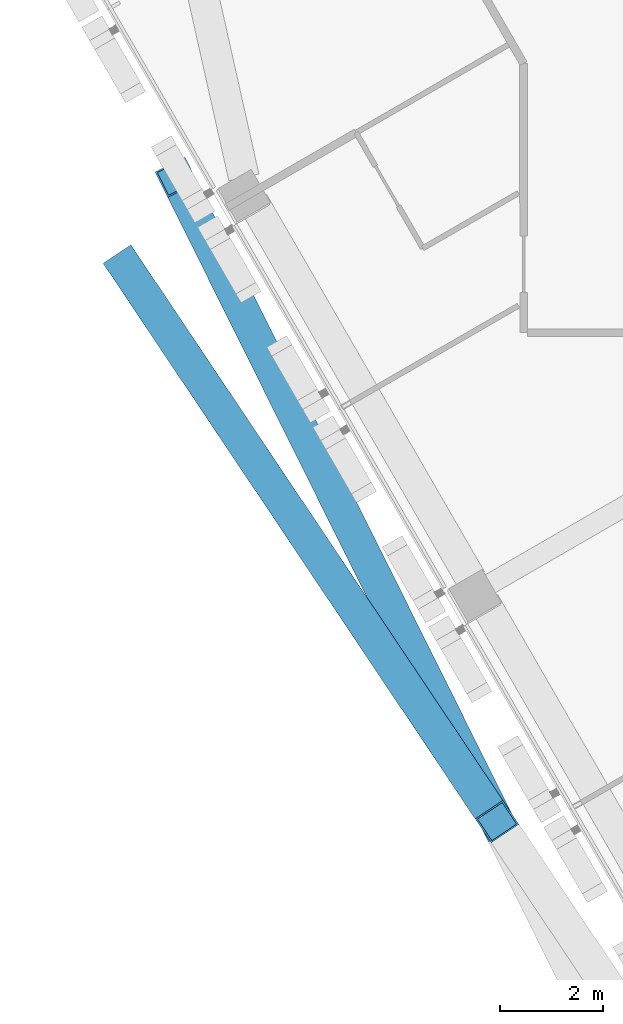
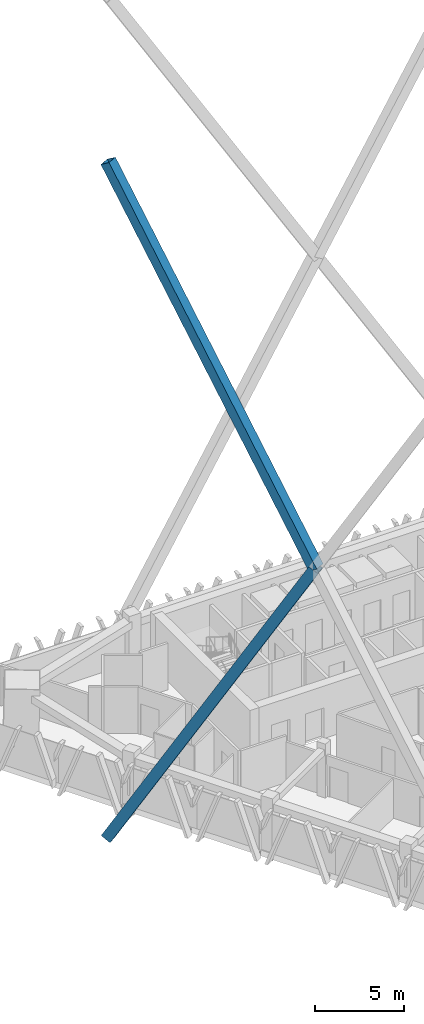
# One storey, part 5 of 22: 2 members.
"""IFC4 building model written with IfcOpenShell, lengths in metres."""

from ifc_helpers import new_model, si_unit, direction, frame, origin, origin_2d, place, context, subcontext, project, spatial, hollow_rectangle, extrude, material, material_profile, profile_set, type_object, element, save


model = new_model("IFC4")

# Units and contexts
model_context = context("Model", 3, precision=1e-05, world=origin(), true_north=direction((0.0, 1.0)))
body_context = subcontext(model_context, "Body", "Model", "MODEL_VIEW")
ifc_project = project(units=[si_unit("LENGTHUNIT", "METRE"), si_unit("AREAUNIT", "SQUARE_METRE"), si_unit("VOLUMEUNIT", "CUBIC_METRE"), si_unit("PLANEANGLEUNIT", "RADIAN"), si_unit("MASSUNIT", "GRAM", prefix="KILO")], contexts=[model_context])

# Site, building, storey
site_placement = place(None, origin())
site = spatial("IfcSite", under=ifc_project, at=site_placement, CompositionType="ELEMENT")
building_placement = place(site_placement, origin())
building = spatial("IfcBuilding", under=site, at=building_placement, Name="Altiplano Prism Tower", CompositionType="ELEMENT")
storey_placement = place(building_placement, frame((0.0, 0.0, 219.39990234375)))
storey = spatial("IfcBuildingStorey", under=building, at=storey_placement, Name="L56", CompositionType="ELEMENT", Elevation=219.39990234375)

# Members
ifc_material = material(Name="Steel S355", Category="steel")
ifc_material_profile = material_profile(ifc_material, hollow_rectangle(XDim=0.64990234375, YDim=0.64990234375, WallThickness=0.034912109375, at=origin_2d()), Name="Mega brace Box 650x650x35")
ifc_profile_set = profile_set([ifc_material_profile], Name="Steel S355")
member_type = type_object("IfcMemberType", Name="Mega brace Box 650x650x35", PredefinedType="BRACE", material=ifc_profile_set)
member_1_placement = place(storey_placement, frame((62.43310546875, 91.495849609375, -0.75), z_axis=(0.278845609489, -0.416362243074, 0.865382925999), x_axis=(0.83087801477, 0.556454602436, 0.0)))
element("IfcMember", 1, at=member_1_placement, inside=storey, type_object=member_type, Name="Mega brace 6.1.1", PredefinedType="BRACE", context=body_context, shape_type="SweptSolid", body=[
    extrude(hollow_rectangle(XDim=0.64990234375, YDim=0.64990234375, WallThickness=0.034912109375, at=origin_2d()), origin(), (0.0, 0.0, 1.0), 26.0),
])
member_2_placement = place(storey_placement, frame((69.68310546875, 80.67041015625, 21.75), z_axis=(-0.235723194745, 0.473610254755, 0.848603501083), x_axis=(-0.895243745661, -0.445576745191, 0.0)))
element("IfcMember", 2, at=member_2_placement, inside=storey, type_object=member_type, Name="Mega brace 6.1.4", PredefinedType="BRACE", context=body_context, shape_type="SweptSolid", body=[
    extrude(hollow_rectangle(XDim=0.64990234375, YDim=0.64990234375, WallThickness=0.034912109375, at=origin_2d()), origin(), (0.0, 0.0, 1.0), 26.51416015625),
])

save(model, "model.ifc")
